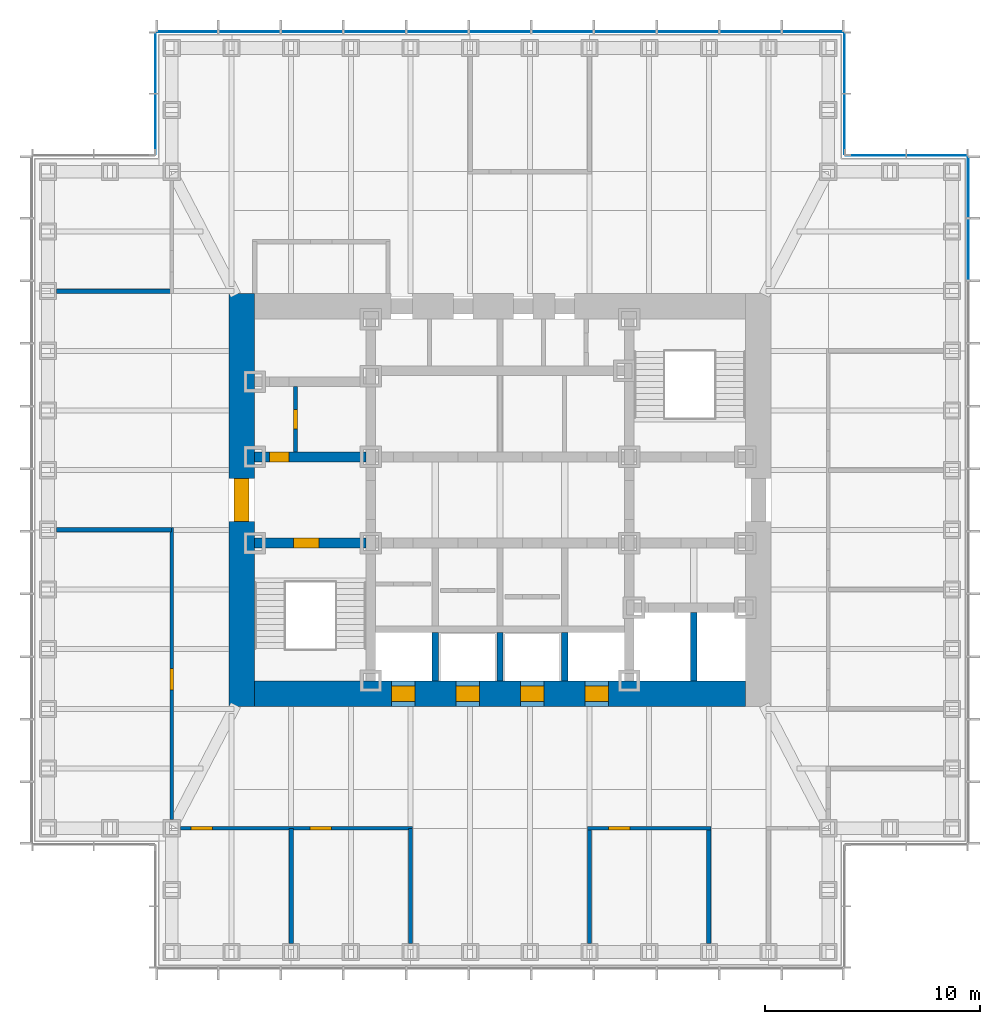
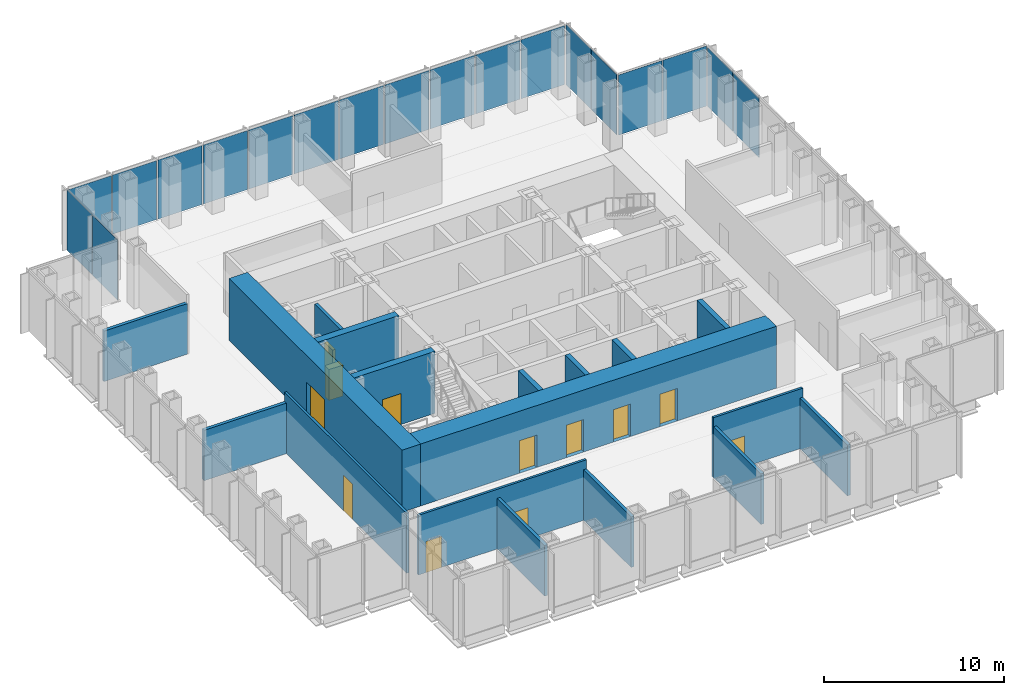
# One storey, part 8 of 16: 19 plates, 18 walls, 12 doors, 12 openings, 5 elements without a shape of their own.
"""IFC4 building model written with IfcOpenShell, lengths in metres."""

from ifc_helpers import new_model, si_unit, direction, frame, frame_2d, origin, origin_2d, place, context, subcontext, project, spatial, rectangle, extrude, material, layer, layer_set, type_object, element, fill, aggregate, save


model = new_model("IFC4")

# Units and contexts
model_context = context("Model", 3, precision=1e-05, world=origin(), true_north=direction((0.0, 1.0)))
body_context = subcontext(model_context, "Body", "Model", "MODEL_VIEW")
ifc_project = project(units=[si_unit("LENGTHUNIT", "METRE"), si_unit("AREAUNIT", "SQUARE_METRE"), si_unit("VOLUMEUNIT", "CUBIC_METRE"), si_unit("PLANEANGLEUNIT", "RADIAN"), si_unit("MASSUNIT", "GRAM", prefix="KILO")], contexts=[model_context])

# Site, building, storey
site_placement = place(None, origin())
site = spatial("IfcSite", under=ifc_project, at=site_placement, CompositionType="ELEMENT")
building_placement = place(site_placement, origin())
building = spatial("IfcBuilding", under=site, at=building_placement, Name="Daluyong Arena Tower", CompositionType="ELEMENT")
storey_placement = place(building_placement, frame((0.0, 0.0, 267.10009765625)))
storey = spatial("IfcBuildingStorey", under=building, at=storey_placement, Name="L60", CompositionType="ELEMENT", Elevation=267.10009765625)

# Curtain wall, plates
ifc_material_1 = material(Name="Bronze anodised aluminium and glass", Category="aluminium")
curtain_wall_type_1 = type_object("IfcCurtainWallType", Name="Curtain wall CW4", PredefinedType="USERDEFINED", material=ifc_material_1)
curtain_wall_1_placement = place(storey_placement, origin())
curtain_wall_1 = element("IfcCurtainWall", 1, at=curtain_wall_1_placement, inside=storey, type_object=curtain_wall_type_1, Name="curtain wall L60 E", ObjectType="UNITISED CURTAIN WALL", PredefinedType="USERDEFINED")
ifc_material_2 = material(Name="Tinted laminated double glazed unit", Category="glass")
ifc_layer_1 = layer(ifc_material_2, 0.035888671875)
ifc_layer_set_1 = layer_set([ifc_layer_1], Name="Tinted laminated double glazed unit")
plate_type_1 = type_object("IfcPlateType", Name="CW4 panel 36", PredefinedType="CURTAIN_PANEL", material=ifc_layer_set_1)
plate_1_placement = place(storey_placement, frame((77.75, 91.636474609375, 0.0), z_axis=(0.0, 0.0, 1.0), x_axis=(0.0, 1.0, 0.0)))
plate_1 = element("IfcPlate", 2, at=plate_1_placement, type_object=plate_type_1, Name="curtain wall L60 E panel 10", PredefinedType="CURTAIN_PANEL", context=body_context, shape_type="SweptSolid", body=[
    extrude(rectangle(XDim=2.819091796875, YDim=0.035888671875, at=origin_2d()), origin(), (0.0, 0.0, 1.0), 4.0),
])
plate_2_placement = place(storey_placement, frame((77.75, 94.52294921875, 0.0), z_axis=(0.0, 0.0, 1.0), x_axis=(0.0, 1.0, 0.0)))
plate_2 = element("IfcPlate", 3, at=plate_2_placement, type_object=plate_type_1, Name="curtain wall L60 E panel 11", PredefinedType="CURTAIN_PANEL", context=body_context, shape_type="SweptSolid", body=[
    extrude(rectangle(XDim=2.774169921875, YDim=0.035888671875, at=origin_2d()), origin(), (0.0, 0.0, 1.0), 4.0),
])
aggregate(curtain_wall_1, [plate_1, plate_2])

curtain_wall_2_placement = place(storey_placement, origin())
curtain_wall_2 = element("IfcCurtainWall", 4, at=curtain_wall_2_placement, inside=storey, type_object=curtain_wall_type_1, Name="curtain wall L60 N", ObjectType="UNITISED CURTAIN WALL", PredefinedType="USERDEFINED")
plate_3_placement = place(storey_placement, frame((70.52294921875, 101.75, 0.0), z_axis=(0.0, 0.0, 1.0), x_axis=(-1.0, 0.0, 0.0)))
plate_3 = element("IfcPlate", 5, at=plate_3_placement, type_object=plate_type_1, Name="curtain wall L60 N panel 1", PredefinedType="CURTAIN_PANEL", context=body_context, shape_type="SweptSolid", body=[
    extrude(rectangle(XDim=2.774169921875, YDim=0.035888671875, at=origin_2d()), origin(), (0.0, 0.0, 1.0), 4.0),
])
plate_4_placement = place(storey_placement, frame((67.636474609375, 101.75, 0.0), z_axis=(0.0, 0.0, 1.0), x_axis=(-1.0, 0.0, 0.0)))
plate_4 = element("IfcPlate", 6, at=plate_4_placement, type_object=plate_type_1, Name="curtain wall L60 N panel 2", PredefinedType="CURTAIN_PANEL", context=body_context, shape_type="SweptSolid", body=[
    extrude(rectangle(XDim=2.819091796875, YDim=0.035888671875, at=origin_2d()), origin(), (0.0, 0.0, 1.0), 4.0),
])
plate_5_placement = place(storey_placement, frame((64.727294921875, 101.75, 0.0), z_axis=(0.0, 0.0, 1.0), x_axis=(-1.0, 0.0, 0.0)))
plate_5 = element("IfcPlate", 7, at=plate_5_placement, type_object=plate_type_1, Name="curtain wall L60 N panel 3", PredefinedType="CURTAIN_PANEL", context=body_context, shape_type="SweptSolid", body=[
    extrude(rectangle(XDim=2.819091796875, YDim=0.035888671875, at=origin_2d()), origin(), (0.0, 0.0, 1.0), 4.0),
])
plate_6_placement = place(storey_placement, frame((61.818115234375, 101.75, 0.0), z_axis=(0.0, 0.0, 1.0), x_axis=(-1.0, 0.0, 0.0)))
plate_6 = element("IfcPlate", 8, at=plate_6_placement, type_object=plate_type_1, Name="curtain wall L60 N panel 4", PredefinedType="CURTAIN_PANEL", context=body_context, shape_type="SweptSolid", body=[
    extrude(rectangle(XDim=2.819091796875, YDim=0.035888671875, at=origin_2d()), origin(), (0.0, 0.0, 1.0), 4.0),
])
plate_7_placement = place(storey_placement, frame((58.9091796875, 101.75, 0.0), z_axis=(0.0, 0.0, 1.0), x_axis=(-1.0, 0.0, 0.0)))
plate_7 = element("IfcPlate", 9, at=plate_7_placement, type_object=plate_type_1, Name="curtain wall L60 N panel 5", PredefinedType="CURTAIN_PANEL", context=body_context, shape_type="SweptSolid", body=[
    extrude(rectangle(XDim=2.819091796875, YDim=0.035888671875, at=origin_2d()), origin(), (0.0, 0.0, 1.0), 4.0),
])
plate_8_placement = place(storey_placement, frame((56.0, 101.75, 0.0), z_axis=(0.0, 0.0, 1.0), x_axis=(-1.0, 0.0, 0.0)))
plate_8 = element("IfcPlate", 10, at=plate_8_placement, type_object=plate_type_1, Name="curtain wall L60 N panel 6", PredefinedType="CURTAIN_PANEL", context=body_context, shape_type="SweptSolid", body=[
    extrude(rectangle(XDim=2.819091796875, YDim=0.035888671875, at=origin_2d()), origin(), (0.0, 0.0, 1.0), 4.0),
])
plate_9_placement = place(storey_placement, frame((53.0908203125, 101.75, 0.0), z_axis=(0.0, 0.0, 1.0), x_axis=(-1.0, 0.0, 0.0)))
plate_9 = element("IfcPlate", 11, at=plate_9_placement, type_object=plate_type_1, Name="curtain wall L60 N panel 7", PredefinedType="CURTAIN_PANEL", context=body_context, shape_type="SweptSolid", body=[
    extrude(rectangle(XDim=2.819091796875, YDim=0.035888671875, at=origin_2d()), origin(), (0.0, 0.0, 1.0), 4.0),
])
plate_10_placement = place(storey_placement, frame((50.181884765625, 101.75, 0.0), z_axis=(0.0, 0.0, 1.0), x_axis=(-1.0, 0.0, 0.0)))
plate_10 = element("IfcPlate", 12, at=plate_10_placement, type_object=plate_type_1, Name="curtain wall L60 N panel 8", PredefinedType="CURTAIN_PANEL", context=body_context, shape_type="SweptSolid", body=[
    extrude(rectangle(XDim=2.819091796875, YDim=0.035888671875, at=origin_2d()), origin(), (0.0, 0.0, 1.0), 4.0),
])
plate_11_placement = place(storey_placement, frame((47.272705078125, 101.75, 0.0), z_axis=(0.0, 0.0, 1.0), x_axis=(-1.0, 0.0, 0.0)))
plate_11 = element("IfcPlate", 13, at=plate_11_placement, type_object=plate_type_1, Name="curtain wall L60 N panel 9", PredefinedType="CURTAIN_PANEL", context=body_context, shape_type="SweptSolid", body=[
    extrude(rectangle(XDim=2.819091796875, YDim=0.035888671875, at=origin_2d()), origin(), (0.0, 0.0, 1.0), 4.0),
])
plate_12_placement = place(storey_placement, frame((44.363525390625, 101.75, 0.0), z_axis=(0.0, 0.0, 1.0), x_axis=(-1.0, 0.0, 0.0)))
plate_12 = element("IfcPlate", 14, at=plate_12_placement, type_object=plate_type_1, Name="curtain wall L60 N panel 10", PredefinedType="CURTAIN_PANEL", context=body_context, shape_type="SweptSolid", body=[
    extrude(rectangle(XDim=2.819091796875, YDim=0.035888671875, at=origin_2d()), origin(), (0.0, 0.0, 1.0), 4.0),
])
plate_13_placement = place(storey_placement, frame((41.47705078125, 101.75, 0.0), z_axis=(0.0, 0.0, 1.0), x_axis=(-1.0, 0.0, 0.0)))
plate_13 = element("IfcPlate", 15, at=plate_13_placement, type_object=plate_type_1, Name="curtain wall L60 N panel 11", PredefinedType="CURTAIN_PANEL", context=body_context, shape_type="SweptSolid", body=[
    extrude(rectangle(XDim=2.774169921875, YDim=0.035888671875, at=origin_2d()), origin(), (0.0, 0.0, 1.0), 4.0),
])
aggregate(curtain_wall_2, [plate_3, plate_4, plate_5, plate_6, plate_7, plate_8, plate_9, plate_10, plate_11, plate_12, plate_13])

ifc_material_3 = material(Name="Bronze anodised aluminium and glass", Category="aluminium")
curtain_wall_type_2 = type_object("IfcCurtainWallType", Name="Curtain wall CW7", PredefinedType="USERDEFINED", material=ifc_material_3)
curtain_wall_3_placement = place(storey_placement, origin())
curtain_wall_3 = element("IfcCurtainWall", 16, at=curtain_wall_3_placement, inside=storey, type_object=curtain_wall_type_2, Name="curtain wall L60 NE-N", ObjectType="UNITISED CURTAIN WALL", PredefinedType="USERDEFINED")
ifc_material_4 = material(Name="Tinted double glazed unit", Category="glass")
ifc_layer_2 = layer(ifc_material_4, 0.028076171875)
ifc_layer_set_2 = layer_set([ifc_layer_2], Name="Tinted double glazed unit")
plate_type_2 = type_object("IfcPlateType", Name="CW7 panel 28", PredefinedType="CURTAIN_PANEL", material=ifc_layer_set_2)
plate_14_placement = place(storey_placement, frame((76.297607421875, 96.0, -0.000244140625), z_axis=(0.0, 0.0, 1.0), x_axis=(-1.0, 0.0, 0.0)))
plate_14 = element("IfcPlate", 17, at=plate_14_placement, type_object=plate_type_2, Name="curtain wall L60 NE-N panel 1", PredefinedType="CURTAIN_PANEL", context=body_context, shape_type="SweptSolid", body=[
    extrude(rectangle(XDim=2.784912109375, YDim=0.028076171875, at=origin_2d()), origin(), (0.0, 0.0, 1.0), 4.080078125),
])
plate_15_placement = place(storey_placement, frame((73.452392578125, 96.0, -0.000244140625), z_axis=(0.0, 0.0, 1.0), x_axis=(-1.0, 0.0, 0.0)))
plate_15 = element("IfcPlate", 18, at=plate_15_placement, type_object=plate_type_2, Name="curtain wall L60 NE-N panel 2", PredefinedType="CURTAIN_PANEL", context=body_context, shape_type="SweptSolid", body=[
    extrude(rectangle(XDim=2.784912109375, YDim=0.028076171875, at=origin_2d()), origin(), (0.0, 0.0, 1.0), 4.080078125),
])
aggregate(curtain_wall_3, [plate_14, plate_15])

curtain_wall_4_placement = place(storey_placement, origin())
curtain_wall_4 = element("IfcCurtainWall", 19, at=curtain_wall_4_placement, inside=storey, type_object=curtain_wall_type_2, Name="curtain wall L60 NE-E", ObjectType="UNITISED CURTAIN WALL", PredefinedType="USERDEFINED")
plate_16_placement = place(storey_placement, frame((72.0, 97.452392578125, -0.000244140625), z_axis=(0.0, 0.0, 1.0), x_axis=(0.0, 1.0, 0.0)))
plate_16 = element("IfcPlate", 20, at=plate_16_placement, type_object=plate_type_2, Name="curtain wall L60 NE-E panel 1", PredefinedType="CURTAIN_PANEL", context=body_context, shape_type="SweptSolid", body=[
    extrude(rectangle(XDim=2.784912109375, YDim=0.028076171875, at=origin_2d()), origin(), (0.0, 0.0, 1.0), 4.080078125),
])
plate_17_placement = place(storey_placement, frame((72.0, 100.297607421875, -0.000244140625), z_axis=(0.0, 0.0, 1.0), x_axis=(0.0, 1.0, 0.0)))
plate_17 = element("IfcPlate", 21, at=plate_17_placement, type_object=plate_type_2, Name="curtain wall L60 NE-E panel 2", PredefinedType="CURTAIN_PANEL", context=body_context, shape_type="SweptSolid", body=[
    extrude(rectangle(XDim=2.784912109375, YDim=0.028076171875, at=origin_2d()), origin(), (0.0, 0.0, 1.0), 4.080078125),
])
aggregate(curtain_wall_4, [plate_16, plate_17])

curtain_wall_5_placement = place(storey_placement, origin())
curtain_wall_5 = element("IfcCurtainWall", 22, at=curtain_wall_5_placement, inside=storey, type_object=curtain_wall_type_2, Name="curtain wall L60 NW-W", ObjectType="UNITISED CURTAIN WALL", PredefinedType="USERDEFINED")
plate_18_placement = place(storey_placement, frame((40.0, 100.297607421875, -0.000244140625), z_axis=(0.0, 0.0, 1.0), x_axis=(0.0, -1.0, 0.0)))
plate_18 = element("IfcPlate", 23, at=plate_18_placement, type_object=plate_type_2, Name="curtain wall L60 NW-W panel 1", PredefinedType="CURTAIN_PANEL", context=body_context, shape_type="SweptSolid", body=[
    extrude(rectangle(XDim=2.784912109375, YDim=0.028076171875, at=origin_2d()), origin(), (0.0, 0.0, 1.0), 4.080078125),
])
plate_19_placement = place(storey_placement, frame((40.0, 97.452392578125, -0.000244140625), z_axis=(0.0, 0.0, 1.0), x_axis=(0.0, -1.0, 0.0)))
plate_19 = element("IfcPlate", 24, at=plate_19_placement, type_object=plate_type_2, Name="curtain wall L60 NW-W panel 2", PredefinedType="CURTAIN_PANEL", context=body_context, shape_type="SweptSolid", body=[
    extrude(rectangle(XDim=2.784912109375, YDim=0.028076171875, at=origin_2d()), origin(), (0.0, 0.0, 1.0), 4.080078125),
])
aggregate(curtain_wall_5, [plate_18, plate_19])

# Wall, opening, door
ifc_material_5 = material(Name="Concrete fc' 45 MPa", Category="concrete")
ifc_layer_3 = layer(ifc_material_5, 0.449951171875)
ifc_layer_set_3 = layer_set([ifc_layer_3], Name="Concrete fc' 45 MPa")
wall_type_1 = type_object("IfcWallType", Name="Core inner wall 450", PredefinedType="SHEAR", material=ifc_layer_set_3)
wall_1_placement = place(storey_placement, frame((44.60009765625, 78.0, 0.0), z_axis=(0.0, 0.0, 1.0), x_axis=(1.0, 0.0, 0.0)))
wall_1 = element("IfcWall", 25, at=wall_1_placement, inside=storey, type_object=wall_type_1, Name="core inner wall at L60", PredefinedType="SHEAR", context=body_context, shape_type="SweptSolid", body=[
    extrude(rectangle(XDim=5.1748046875, YDim=0.449951171875, at=frame_2d((2.58740234375, 0.0))), origin(), (0.0, 0.0, 1.0), 4.199951171875),
])
opening_1_placement = place(wall_1_placement, frame((1.800048828125, 0.0, 0.0)))
opening_1 = element("IfcOpeningElement", 26, at=opening_1_placement, cuts=wall_1, Name="Opening 60020", PredefinedType="OPENING", context=body_context, shape_type="SweptSolid", body=[
    extrude(rectangle(XDim=1.199951171875, YDim=2.10009765625, at=frame_2d((0.60009765625, 1.050048828125))), frame((0.0, 0.23486328125, 0.0), z_axis=(0.0, -1.0, 0.0), x_axis=(1.0, 0.0, 0.0)), (0.0, 0.0, 1.0), 0.469970703125),
])
ifc_material_6 = material(Name="Steel door, fire rated", Category="steel")
door_type_1 = type_object("IfcDoorType", Name="Stair door 1200", OperationType="SINGLE_SWING_LEFT", PredefinedType="DOOR", material=ifc_material_6)
door_1_placement = place(opening_1_placement, origin())
door_1 = element("IfcDoor", 27, at=door_1_placement, inside=storey, type_object=door_type_1, Name="stair A door 60020", OperationType="SINGLE_SWING_LEFT", OverallHeight=2.10009765625, OverallWidth=1.199951171875, PredefinedType="DOOR", context=body_context, shape_type="SweptSolid", body=[
    extrude(rectangle(XDim=1.199951171875, YDim=2.10009765625, at=frame_2d((0.60009765625, 1.050048828125))), frame((0.0, 0.224609375, 0.0), z_axis=(0.0, -1.0, 0.0), x_axis=(1.0, 0.0, 0.0)), (0.0, 0.0, 1.0), 0.449462890625),
])
fill(opening_1, door_1)

wall_2_placement = place(storey_placement, frame((44.60009765625, 82.0, 0.0), z_axis=(0.0, 0.0, 1.0), x_axis=(1.0, 0.0, 0.0)))
wall_2 = element("IfcWall", 28, at=wall_2_placement, inside=storey, type_object=wall_type_1, Name="core inner wall at L60", PredefinedType="SHEAR", context=body_context, shape_type="SweptSolid", body=[
    extrude(rectangle(XDim=5.1748046875, YDim=0.449951171875, at=frame_2d((2.58740234375, 0.0))), origin(), (0.0, 0.0, 1.0), 4.199951171875),
])
opening_2_placement = place(wall_2_placement, frame((0.699951171875, 0.0, 0.0)))
opening_2 = element("IfcOpeningElement", 29, at=opening_2_placement, cuts=wall_2, Name="Opening 60001", PredefinedType="OPENING", context=body_context, shape_type="SweptSolid", body=[
    extrude(rectangle(XDim=0.89990234375, YDim=2.10009765625, at=frame_2d((0.449951171875, 1.050048828125))), frame((0.0, 0.23486328125, 0.0), z_axis=(0.0, -1.0, 0.0), x_axis=(1.0, 0.0, 0.0)), (0.0, 0.0, 1.0), 0.469970703125),
])
ifc_material_7 = material(Name="Steel door, fire rated", Category="steel")
door_type_2 = type_object("IfcDoorType", Name="Core room door 900", OperationType="SINGLE_SWING_LEFT", PredefinedType="DOOR", material=ifc_material_7)
door_2_placement = place(opening_2_placement, origin())
door_2 = element("IfcDoor", 30, at=door_2_placement, inside=storey, type_object=door_type_2, Name="toilet lobby door 60001", OperationType="SINGLE_SWING_LEFT", OverallHeight=2.10009765625, OverallWidth=0.89990234375, PredefinedType="DOOR", context=body_context, shape_type="SweptSolid", body=[
    extrude(rectangle(XDim=0.89990234375, YDim=2.10009765625, at=frame_2d((0.449951171875, 1.050048828125))), frame((0.0, 0.224609375, 0.0), z_axis=(0.0, -1.0, 0.0), x_axis=(1.0, 0.0, 0.0)), (0.0, 0.0, 1.0), 0.449462890625),
])
fill(opening_2, door_2)

ifc_material_8 = material(Name="Concrete fc' 60 MPa", Category="concrete")
ifc_layer_4 = layer(ifc_material_8, 1.199951171875)
ifc_layer_set_4 = layer_set([ifc_layer_4], Name="Concrete fc' 60 MPa")
wall_type_2 = type_object("IfcWallType", Name="Core wall 1200", PredefinedType="SHEAR", material=ifc_layer_set_4)
wall_3_placement = place(storey_placement, frame((44.0, 70.39990234375, 0.0), z_axis=(0.0, 0.0, 1.0), x_axis=(0.0, 1.0, 0.0)))
wall_3 = element("IfcWall", 31, at=wall_3_placement, inside=storey, type_object=wall_type_2, Name="core wall at L60", PredefinedType="SHEAR", context=body_context, shape_type="SweptSolid", body=[
    extrude(rectangle(XDim=19.2001953125, YDim=1.199951171875, at=frame_2d((9.60009765625, 0.0))), origin(), (0.0, 0.0, 1.0), 4.199951171875),
])
opening_3_placement = place(wall_3_placement, frame((8.60009765625, 0.0, 0.0)))
opening_3 = element("IfcOpeningElement", 32, at=opening_3_placement, cuts=wall_3, Name="Opening 60022", PredefinedType="OPENING", context=body_context, shape_type="SweptSolid", body=[
    extrude(rectangle(XDim=2.0, YDim=2.39990234375, at=frame_2d((1.0, 1.199951171875))), frame((0.0, 0.60986328125, 0.0), z_axis=(0.0, -1.0, 0.0), x_axis=(1.0, 0.0, 0.0)), (0.0, 0.0, 1.0), 1.219970703125),
])
ifc_material_9 = material(Name="Steel door, fire rated", Category="steel")
door_type_3 = type_object("IfcDoorType", Name="Core lobby double door 2000", OperationType="DOUBLE_DOOR_SINGLE_SWING", PredefinedType="DOOR", material=ifc_material_9)
door_3_placement = place(opening_3_placement, origin())
door_3 = element("IfcDoor", 33, at=door_3_placement, inside=storey, type_object=door_type_3, Name="core lobby door west 60022", OperationType="DOUBLE_DOOR_SINGLE_SWING", OverallHeight=2.39990234375, OverallWidth=2.0, PredefinedType="DOOR", context=body_context, shape_type="SweptSolid", body=[
    extrude(rectangle(XDim=2.0, YDim=2.39990234375, at=frame_2d((1.0, 1.199951171875))), frame((0.0, 0.35009765625, 0.0), z_axis=(0.0, -1.0, 0.0), x_axis=(1.0, 0.0, 0.0)), (0.0, 0.0, 1.0), 0.699951171875),
])
fill(opening_3, door_3)

# Wall, openings, doors
wall_4_placement = place(storey_placement, frame((44.60009765625, 71.0, 0.0), z_axis=(0.0, 0.0, 1.0), x_axis=(1.0, 0.0, 0.0)))
wall_4 = element("IfcWall", 34, at=wall_4_placement, inside=storey, type_object=wall_type_2, Name="core wall at L60", PredefinedType="SHEAR", context=body_context, shape_type="SweptSolid", body=[
    extrude(rectangle(XDim=22.7998046875, YDim=1.199951171875, at=frame_2d((11.39990234375, 0.0))), origin(), (0.0, 0.0, 1.0), 4.199951171875),
])
opening_4_placement = place(wall_4_placement, frame((6.35009765625, 0.0, 0.0)))
opening_4 = element("IfcOpeningElement", 35, at=opening_4_placement, cuts=wall_4, Name="Opening 60027", PredefinedType="OPENING", context=body_context, shape_type="SweptSolid", body=[
    extrude(rectangle(XDim=1.10009765625, YDim=2.199951171875, at=frame_2d((0.550048828125, 1.10009765625))), frame((0.0, 0.60986328125, 0.0), z_axis=(0.0, -1.0, 0.0), x_axis=(1.0, 0.0, 0.0)), (0.0, 0.0, 1.0), 1.219970703125),
])
opening_5_placement = place(wall_4_placement, frame((9.35009765625, 0.0, 0.0)))
opening_5 = element("IfcOpeningElement", 36, at=opening_5_placement, cuts=wall_4, Name="Opening 60028", PredefinedType="OPENING", context=body_context, shape_type="SweptSolid", body=[
    extrude(rectangle(XDim=1.10009765625, YDim=2.199951171875, at=frame_2d((0.550048828125, 1.10009765625))), frame((0.0, 0.60986328125, 0.0), z_axis=(0.0, -1.0, 0.0), x_axis=(1.0, 0.0, 0.0)), (0.0, 0.0, 1.0), 1.219970703125),
])
opening_6_placement = place(wall_4_placement, frame((12.35009765625, 0.0, 0.0)))
opening_6 = element("IfcOpeningElement", 37, at=opening_6_placement, cuts=wall_4, Name="Opening 60029", PredefinedType="OPENING", context=body_context, shape_type="SweptSolid", body=[
    extrude(rectangle(XDim=1.10009765625, YDim=2.199951171875, at=frame_2d((0.550048828125, 1.10009765625))), frame((0.0, 0.60986328125, 0.0), z_axis=(0.0, -1.0, 0.0), x_axis=(1.0, 0.0, 0.0)), (0.0, 0.0, 1.0), 1.219970703125),
])
opening_7_placement = place(wall_4_placement, frame((15.35009765625, 0.0, 0.0)))
opening_7 = element("IfcOpeningElement", 38, at=opening_7_placement, cuts=wall_4, Name="Opening 60030", PredefinedType="OPENING", context=body_context, shape_type="SweptSolid", body=[
    extrude(rectangle(XDim=1.10009765625, YDim=2.199951171875, at=frame_2d((0.550048828125, 1.10009765625))), frame((0.0, 0.60986328125, 0.0), z_axis=(0.0, -1.0, 0.0), x_axis=(1.0, 0.0, 0.0)), (0.0, 0.0, 1.0), 1.219970703125),
])
ifc_material_10 = material(Name="Steel door, fire rated", Category="steel")
door_type_4 = type_object("IfcDoorType", Name="Lift landing door 1100", OperationType="SLIDING_TO_LEFT", PredefinedType="DOOR", material=ifc_material_10)
door_4_placement = place(opening_4_placement, origin())
door_4 = element("IfcDoor", 39, at=door_4_placement, inside=storey, type_object=door_type_4, Name="lift landing door C1 60027", OperationType="SLIDING_TO_LEFT", OverallHeight=2.199951171875, OverallWidth=1.10009765625, PredefinedType="DOOR", context=body_context, shape_type="SweptSolid", body=[
    extrude(rectangle(XDim=1.10009765625, YDim=2.199951171875, at=frame_2d((0.550048828125, 1.10009765625))), frame((0.0, 0.35009765625, 0.0), z_axis=(0.0, -1.0, 0.0), x_axis=(1.0, 0.0, 0.0)), (0.0, 0.0, 1.0), 0.699951171875),
])
fill(opening_4, door_4)
door_5_placement = place(opening_5_placement, origin())
door_5 = element("IfcDoor", 40, at=door_5_placement, inside=storey, type_object=door_type_4, Name="lift landing door C2 60028", OperationType="SLIDING_TO_LEFT", OverallHeight=2.199951171875, OverallWidth=1.10009765625, PredefinedType="DOOR", context=body_context, shape_type="SweptSolid", body=[
    extrude(rectangle(XDim=1.10009765625, YDim=2.199951171875, at=frame_2d((0.550048828125, 1.10009765625))), frame((0.0, 0.35009765625, 0.0), z_axis=(0.0, -1.0, 0.0), x_axis=(1.0, 0.0, 0.0)), (0.0, 0.0, 1.0), 0.699951171875),
])
fill(opening_5, door_5)
door_6_placement = place(opening_6_placement, origin())
door_6 = element("IfcDoor", 41, at=door_6_placement, inside=storey, type_object=door_type_4, Name="lift landing door C3 60029", OperationType="SLIDING_TO_LEFT", OverallHeight=2.199951171875, OverallWidth=1.10009765625, PredefinedType="DOOR", context=body_context, shape_type="SweptSolid", body=[
    extrude(rectangle(XDim=1.10009765625, YDim=2.199951171875, at=frame_2d((0.550048828125, 1.10009765625))), frame((0.0, 0.35009765625, 0.0), z_axis=(0.0, -1.0, 0.0), x_axis=(1.0, 0.0, 0.0)), (0.0, 0.0, 1.0), 0.699951171875),
])
fill(opening_6, door_6)
door_7_placement = place(opening_7_placement, origin())
door_7 = element("IfcDoor", 42, at=door_7_placement, inside=storey, type_object=door_type_4, Name="lift landing door C4 60030", OperationType="SLIDING_TO_LEFT", OverallHeight=2.199951171875, OverallWidth=1.10009765625, PredefinedType="DOOR", context=body_context, shape_type="SweptSolid", body=[
    extrude(rectangle(XDim=1.10009765625, YDim=2.199951171875, at=frame_2d((0.550048828125, 1.10009765625))), frame((0.0, 0.35009765625, 0.0), z_axis=(0.0, -1.0, 0.0), x_axis=(1.0, 0.0, 0.0)), (0.0, 0.0, 1.0), 0.699951171875),
])
fill(opening_7, door_7)

# Wall, opening, door
ifc_material_11 = material(Name="Concrete block partition, fire rated", Category="concrete")
ifc_layer_5 = layer(ifc_material_11, 0.199951171875)
ifc_layer_set_5 = layer_set([ifc_layer_5], Name="Concrete block partition, fire rated")
wall_type_3 = type_object("IfcWallType", Name="Fire-rated partition 200", PredefinedType="PARTITIONING", material=ifc_layer_set_5)
wall_5_placement = place(storey_placement, frame((46.5, 82.22509765625, 0.0), z_axis=(0.0, 0.0, 1.0), x_axis=(0.0, 1.0, 0.0)))
wall_5 = element("IfcWall", 43, at=wall_5_placement, inside=storey, type_object=wall_type_3, Name="toilet lobby partition at L60", PredefinedType="PARTITIONING", context=body_context, shape_type="SweptSolid", body=[
    extrude(rectangle(XDim=3.0498046875, YDim=0.199951171875, at=frame_2d((1.52490234375, 0.0))), origin(), (0.0, 0.0, 1.0), 4.039794921875),
])
opening_8_placement = place(wall_5_placement, frame((1.074951171875, 0.0, 0.0)))
opening_8 = element("IfcOpeningElement", 44, at=opening_8_placement, cuts=wall_5, Name="Opening 60002", PredefinedType="OPENING", context=body_context, shape_type="SweptSolid", body=[
    extrude(rectangle(XDim=0.89990234375, YDim=2.10009765625, at=frame_2d((0.449951171875, 1.050048828125))), frame((0.0, 0.10986328125, 0.0), z_axis=(0.0, -1.0, 0.0), x_axis=(1.0, 0.0, 0.0)), (0.0, 0.0, 1.0), 0.219970703125),
])
ifc_material_12 = material(Name="Timber door", Category="wood")
door_type_5 = type_object("IfcDoorType", Name="Toilet door 900", OperationType="SINGLE_SWING_RIGHT", PredefinedType="DOOR", material=ifc_material_12)
door_8_placement = place(opening_8_placement, origin())
door_8 = element("IfcDoor", 45, at=door_8_placement, inside=storey, type_object=door_type_5, Name="male toilet door 60002", OperationType="SINGLE_SWING_RIGHT", OverallHeight=2.10009765625, OverallWidth=0.89990234375, PredefinedType="DOOR", context=body_context, shape_type="SweptSolid", body=[
    extrude(rectangle(XDim=0.89990234375, YDim=2.10009765625, at=frame_2d((0.449951171875, 1.050048828125))), frame((0.0, 0.099609375, 0.0), z_axis=(0.0, -1.0, 0.0), x_axis=(1.0, 0.0, 0.0)), (0.0, 0.0, 1.0), 0.199462890625),
])
fill(opening_8, door_8)

# Wall, openings, doors
ifc_material_13 = material(Name="Glazed aluminium partition", Category="aluminium")
ifc_layer_6 = layer(ifc_material_13, 0.14990234375)
ifc_layer_set_6 = layer_set([ifc_layer_6], Name="Glazed aluminium partition")
wall_type_4 = type_object("IfcWallType", Name="Glazed partition 150", PredefinedType="PARTITIONING", material=ifc_layer_set_6)
wall_6_placement = place(storey_placement, frame((41.14990234375, 64.75, 0.0), z_axis=(0.0, 0.0, 1.0), x_axis=(1.0, 0.0, 0.0)))
wall_6 = element("IfcWall", 46, at=wall_6_placement, inside=storey, type_object=wall_type_4, Name="glazed partition at L60", PredefinedType="PARTITIONING", context=body_context, shape_type="SweptSolid", body=[
    extrude(rectangle(XDim=10.791015625, YDim=0.14990234375, at=frame_2d((5.3955078125, 0.0))), origin(), (0.0, 0.0, 1.0), 4.039794921875),
])
opening_9_placement = place(wall_6_placement, frame((0.486328125, 0.0, 0.0)))
opening_9 = element("IfcOpeningElement", 47, at=opening_9_placement, cuts=wall_6, Name="Opening 60033", PredefinedType="OPENING", context=body_context, shape_type="SweptSolid", body=[
    extrude(rectangle(XDim=1.0, YDim=2.10009765625, at=frame_2d((0.5, 1.050048828125))), frame((0.0, 0.0849609375, 0.0), z_axis=(0.0, -1.0, 0.0), x_axis=(1.0, 0.0, 0.0)), (0.0, 0.0, 1.0), 0.169921875),
])
opening_10_placement = place(wall_6_placement, frame((6.03173828125, 0.0, 0.0)))
opening_10 = element("IfcOpeningElement", 48, at=opening_10_placement, cuts=wall_6, Name="Opening 60034", PredefinedType="OPENING", context=body_context, shape_type="SweptSolid", body=[
    extrude(rectangle(XDim=1.0, YDim=2.10009765625, at=frame_2d((0.5, 1.050048828125))), frame((0.0, 0.0849609375, 0.0), z_axis=(0.0, -1.0, 0.0), x_axis=(1.0, 0.0, 0.0)), (0.0, 0.0, 1.0), 0.169921875),
])
ifc_material_14 = material(Name="Timber door", Category="wood")
door_type_6 = type_object("IfcDoorType", Name="Room door 1000", OperationType="SINGLE_SWING_LEFT", PredefinedType="DOOR", material=ifc_material_14)
door_9_placement = place(opening_9_placement, origin())
door_9 = element("IfcDoor", 49, at=door_9_placement, inside=storey, type_object=door_type_6, Name="executive office door 60033", OperationType="SINGLE_SWING_LEFT", OverallHeight=2.10009765625, OverallWidth=1.0, PredefinedType="DOOR", context=body_context, shape_type="SweptSolid", body=[
    extrude(rectangle(XDim=1.0, YDim=2.10009765625, at=frame_2d((0.5, 1.050048828125))), frame((0.0, 0.07470703125, 0.0), z_axis=(0.0, -1.0, 0.0), x_axis=(1.0, 0.0, 0.0)), (0.0, 0.0, 1.0), 0.1494140625),
])
fill(opening_9, door_9)
door_10_placement = place(opening_10_placement, origin())
door_10 = element("IfcDoor", 50, at=door_10_placement, inside=storey, type_object=door_type_6, Name="office door 60034", OperationType="SINGLE_SWING_LEFT", OverallHeight=2.10009765625, OverallWidth=1.0, PredefinedType="DOOR", context=body_context, shape_type="SweptSolid", body=[
    extrude(rectangle(XDim=1.0, YDim=2.10009765625, at=frame_2d((0.5, 1.050048828125))), frame((0.0, 0.07470703125, 0.0), z_axis=(0.0, -1.0, 0.0), x_axis=(1.0, 0.0, 0.0)), (0.0, 0.0, 1.0), 0.1494140625),
])
fill(opening_10, door_10)

# Wall, opening, door
wall_7_placement = place(storey_placement, frame((60.05908203125, 64.75, 0.0), z_axis=(0.0, 0.0, 1.0), x_axis=(1.0, 0.0, 0.0)))
wall_7 = element("IfcWall", 51, at=wall_7_placement, inside=storey, type_object=wall_type_4, Name="glazed partition at L60", PredefinedType="PARTITIONING", context=body_context, shape_type="SweptSolid", body=[
    extrude(rectangle(XDim=5.745361328125, YDim=0.14990234375, at=frame_2d((2.87255859375, 0.0))), origin(), (0.0, 0.0, 1.0), 4.039794921875),
])
opening_11_placement = place(wall_7_placement, frame((0.986328125, 0.0, 0.0)))
opening_11 = element("IfcOpeningElement", 52, at=opening_11_placement, cuts=wall_7, Name="Opening 60035", PredefinedType="OPENING", context=body_context, shape_type="SweptSolid", body=[
    extrude(rectangle(XDim=1.0, YDim=2.10009765625, at=frame_2d((0.5, 1.050048828125))), frame((0.0, 0.0849609375, 0.0), z_axis=(0.0, -1.0, 0.0), x_axis=(1.0, 0.0, 0.0)), (0.0, 0.0, 1.0), 0.169921875),
])
door_11_placement = place(opening_11_placement, origin())
door_11 = element("IfcDoor", 53, at=door_11_placement, inside=storey, type_object=door_type_6, Name="office door 60035", OperationType="SINGLE_SWING_LEFT", OverallHeight=2.10009765625, OverallWidth=1.0, PredefinedType="DOOR", context=body_context, shape_type="SweptSolid", body=[
    extrude(rectangle(XDim=1.0, YDim=2.10009765625, at=frame_2d((0.5, 1.050048828125))), frame((0.0, 0.07470703125, 0.0), z_axis=(0.0, -1.0, 0.0), x_axis=(1.0, 0.0, 0.0)), (0.0, 0.0, 1.0), 0.1494140625),
])
fill(opening_11, door_11)

wall_8_placement = place(storey_placement, frame((40.75, 65.14990234375, 0.0), z_axis=(0.0, 0.0, 1.0), x_axis=(0.0, 1.0, 0.0)))
wall_8 = element("IfcWall", 54, at=wall_8_placement, inside=storey, type_object=wall_type_4, Name="glazed partition at L60", PredefinedType="PARTITIONING", context=body_context, shape_type="SweptSolid", body=[
    extrude(rectangle(XDim=13.563720703125, YDim=0.14990234375, at=frame_2d((6.78173828125, 0.0))), origin(), (0.0, 0.0, 1.0), 4.039794921875),
])
opening_12_placement = place(wall_8_placement, frame((6.03173828125, 0.0, 0.0)))
opening_12 = element("IfcOpeningElement", 55, at=opening_12_placement, cuts=wall_8, Name="Opening 60042", PredefinedType="OPENING", context=body_context, shape_type="SweptSolid", body=[
    extrude(rectangle(XDim=1.0, YDim=2.39990234375, at=frame_2d((0.5, 1.199951171875))), frame((0.0, 0.0849609375, 0.0), z_axis=(0.0, -1.0, 0.0), x_axis=(1.0, 0.0, 0.0)), (0.0, 0.0, 1.0), 0.169921875),
])
ifc_material_15 = material(Name="Glazed aluminium door", Category="aluminium")
door_type_7 = type_object("IfcDoorType", Name="Meeting room glazed door 1000", OperationType="SINGLE_SWING_RIGHT", PredefinedType="DOOR", material=ifc_material_15)
door_12_placement = place(opening_12_placement, origin())
door_12 = element("IfcDoor", 56, at=door_12_placement, inside=storey, type_object=door_type_7, Name="boardroom door 60042", OperationType="SINGLE_SWING_RIGHT", OverallHeight=2.39990234375, OverallWidth=1.0, PredefinedType="DOOR", context=body_context, shape_type="SweptSolid", body=[
    extrude(rectangle(XDim=1.0, YDim=2.39990234375, at=frame_2d((0.5, 1.199951171875))), frame((0.0, 0.07470703125, 0.0), z_axis=(0.0, -1.0, 0.0), x_axis=(1.0, 0.0, 0.0)), (0.0, 0.0, 1.0), 0.1494140625),
])
fill(opening_12, door_12)

# Walls
ifc_material_16 = material(Name="Concrete fc' 45 MPa", Category="concrete")
ifc_layer_7 = layer(ifc_material_16, 0.300048828125)
ifc_layer_set_7 = layer_set([ifc_layer_7], Name="Concrete fc' 45 MPa")
wall_type_5 = type_object("IfcWallType", Name="Lift shaft wall 300", PredefinedType="SHEAR", material=ifc_layer_set_7)
for number, where, z_axis, x_axis, name in (
    (57, (53.0, 71.60009765625, 0.0), (0.0, 0.0, 1.0), (0.0, 1.0, 0.0), "lift shaft wall at L60"),
    (58, (56.0, 71.60009765625, 0.0), (0.0, 0.0, 1.0), (0.0, 1.0, 0.0), "lift shaft wall at L60"),
    (59, (59.0, 71.60009765625, 0.0), (0.0, 0.0, 1.0), (0.0, 1.0, 0.0), "lift shaft wall at L60"),
):
    element("IfcWall", number, at=place(storey_placement, frame(where, z_axis=z_axis, x_axis=x_axis)), inside=storey, type_object=wall_type_5, Name=name, PredefinedType="SHEAR", context=body_context, shape_type="SweptSolid", body=[
        extrude(rectangle(XDim=2.25, YDim=0.300048828125, at=frame_2d((1.125, 0.0))), origin(), (0.0, 0.0, 1.0), 4.199951171875),
    ])
wall_9_placement = place(storey_placement, frame((65.0, 71.60009765625, 0.0), z_axis=(0.0, 0.0, 1.0), x_axis=(0.0, 1.0, 0.0)))
element("IfcWall", 60, at=wall_9_placement, inside=storey, type_object=wall_type_5, Name="lift shaft wall at L60", PredefinedType="SHEAR", context=body_context, shape_type="SweptSolid", body=[
    extrude(rectangle(XDim=3.1748046875, YDim=0.300048828125, at=frame_2d((1.58740234375, 0.0))), origin(), (0.0, 0.0, 1.0), 4.199951171875),
])
ifc_material_17 = material(Name="Concrete block partition", Category="concrete")
ifc_layer_8 = layer(ifc_material_17, 0.199951171875)
ifc_layer_set_8 = layer_set([ifc_layer_8], Name="Concrete block partition")
wall_type_6 = type_object("IfcWallType", Name="Partition 200", PredefinedType="PARTITIONING", material=ifc_layer_set_8)
for number, where, z_axis, x_axis, name in (
    (61, (46.29541015625, 59.39990234375, 0.0), (0.0, 0.0, 1.0), (0.0, 1.0, 0.0), "partition at L60"),
    (62, (51.8408203125, 59.39990234375, 0.0), (0.0, 0.0, 1.0), (0.0, 1.0, 0.0), "partition at L60"),
    (63, (60.1591796875, 59.39990234375, 0.0), (0.0, 0.0, 1.0), (0.0, 1.0, 0.0), "partition at L60"),
    (64, (65.70458984375, 59.39990234375, 0.0), (0.0, 0.0, 1.0), (0.0, 1.0, 0.0), "partition at L60"),
    (65, (35.39990234375, 78.613525390625, 0.0), (0.0, 0.0, 1.0), (1.0, 0.0, 0.0), "partition at L60"),
    (66, (35.39990234375, 89.70458984375, 0.0), (0.0, 0.0, 1.0), (1.0, 0.0, 0.0), "partition at L60"),
):
    element("IfcWall", number, at=place(storey_placement, frame(where, z_axis=z_axis, x_axis=x_axis)), inside=storey, type_object=wall_type_6, Name=name, PredefinedType="PARTITIONING", context=body_context, shape_type="SweptSolid", body=[
        extrude(rectangle(XDim=5.35009765625, YDim=0.199951171875, at=frame_2d((2.675048828125, 0.0))), origin(), (0.0, 0.0, 1.0), 3.427734375),
    ])

save(model, "model.ifc")
